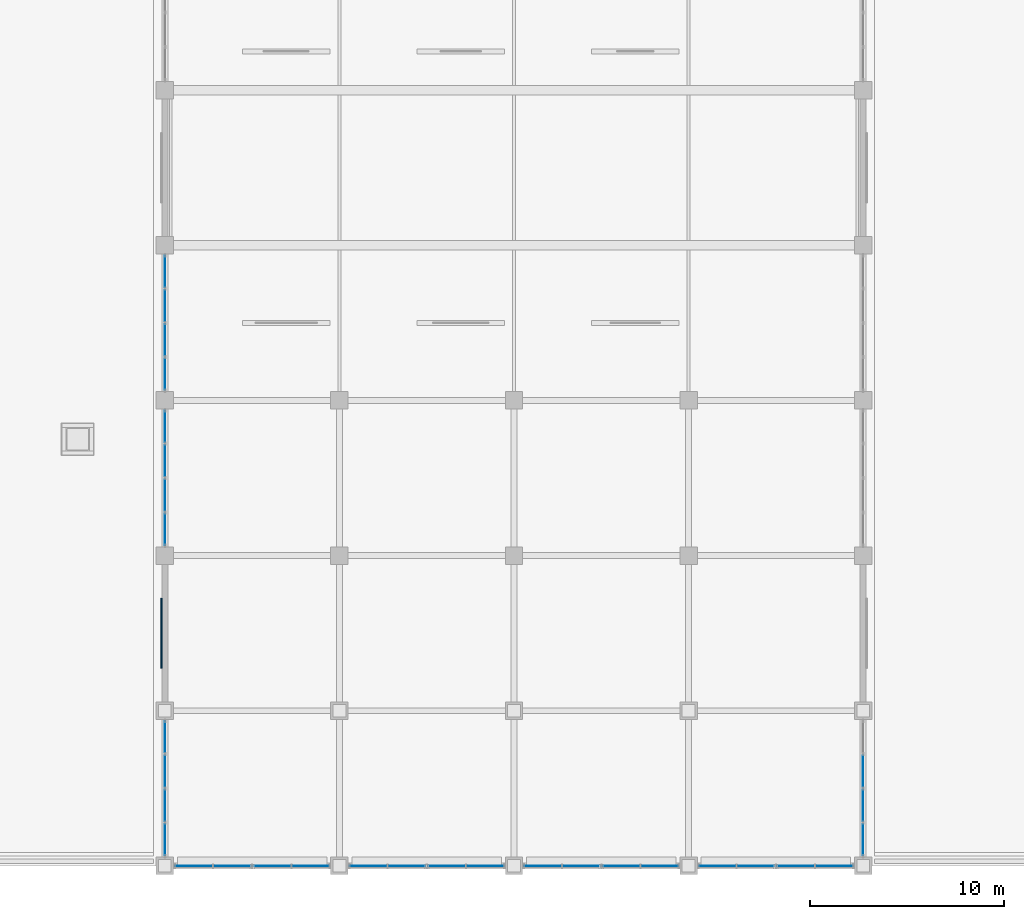
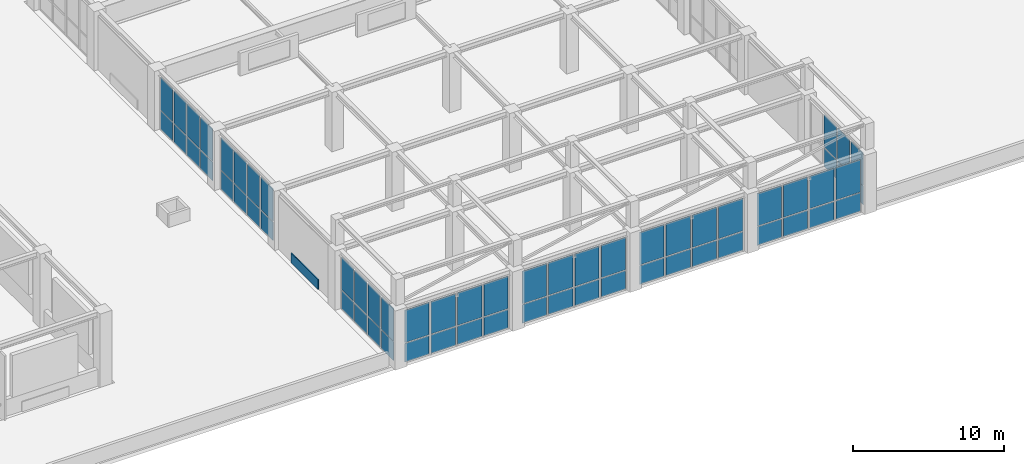
# One storey, part 13 of 34: 63 plates, 8 elements without a shape of their own.
"""IFC4 building model written with IfcOpenShell, lengths in metres."""

from ifc_helpers import new_model, si_unit, direction, frame, frame_2d, origin, place, context, subcontext, project, spatial, rectangle, extrude, material, layer, layer_set, type_object, element, aggregate, save


model = new_model("IFC4")

# Units and contexts
model_context = context("Model", 3, precision=1e-05, world=origin(), true_north=direction((0.0, 1.0)))
body_context = subcontext(model_context, "Body", "Model", "MODEL_VIEW")
ifc_project = project(units=[si_unit("LENGTHUNIT", "METRE"), si_unit("AREAUNIT", "SQUARE_METRE"), si_unit("VOLUMEUNIT", "CUBIC_METRE"), si_unit("PLANEANGLEUNIT", "RADIAN"), si_unit("MASSUNIT", "GRAM", prefix="KILO")], contexts=[model_context])

# Site, building, storey
site_placement = place(None, origin())
site = spatial("IfcSite", under=ifc_project, at=site_placement, CompositionType="ELEMENT")
building_placement = place(site_placement, origin())
building = spatial("IfcBuilding", under=site, at=building_placement, Name="Zaverband Oceanarium and Marine Research Institute", CompositionType="ELEMENT")
storey_placement = place(building_placement, frame((0.0, 0.0, 18.0)))
storey = spatial("IfcBuildingStorey", under=building, at=storey_placement, Name="L04", CompositionType="ELEMENT", Elevation=18.0)

# Curtain wall, plates
ifc_material_1 = material(Name="Thermally broken anodized aluminium and solar-control glass", Category="aluminium")
curtain_wall_type = type_object("IfcCurtainWallType", Name="CW-UNIT-1800", PredefinedType="NOTDEFINED", material=ifc_material_1)
curtain_wall_1_placement = place(storey_placement, origin())
curtain_wall_1 = element("IfcCurtainWall", 1, at=curtain_wall_1_placement, inside=storey, type_object=curtain_wall_type, Name="Unitised glazed curtain wall CW-187", PredefinedType="NOTDEFINED")
ifc_material_2 = material(Name="Low-E double-glazed solar-control glass", Category="glass")
ifc_layer_1 = layer(ifc_material_2, 0.033935546875, Name="Low-E double-glazed solar-control glass")
ifc_layer_set_1 = layer_set([ifc_layer_1], Name="Low-E double-glazed solar-control glass")
plate_type_1 = type_object("IfcPlateType", Name="CWP-1610x1505", PredefinedType="CURTAIN_PANEL", material=ifc_layer_set_1)
plate_1_placement = place(storey_placement, frame((72.0, 0.5400390625, 0.050048828125), z_axis=(0.0, 0.0, 1.0), x_axis=(0.0, 1.0, 0.0)))
plate_1 = element("IfcPlate", 2, at=plate_1_placement, type_object=plate_type_1, Name="Glazed curtain wall panel CWP-1610x1505", PredefinedType="CURTAIN_PANEL", context=body_context, shape_type="SweptSolid", body=[
    extrude(rectangle(XDim=1.60986328125, YDim=0.033935546875, at=frame_2d((0.804931640625, 0.0))), origin(), (0.0, 0.0, 1.0), 1.5048828125),
])
plate_2_placement = place(storey_placement, frame((72.0, 2.31005859375, 0.050048828125), z_axis=(0.0, 0.0, 1.0), x_axis=(0.0, 1.0, 0.0)))
plate_2 = element("IfcPlate", 3, at=plate_2_placement, type_object=plate_type_1, Name="Glazed curtain wall panel CWP-1610x1505", PredefinedType="CURTAIN_PANEL", context=body_context, shape_type="SweptSolid", body=[
    extrude(rectangle(XDim=1.60986328125, YDim=0.033935546875, at=frame_2d((0.804931640625, 0.0))), origin(), (0.0, 0.0, 1.0), 1.5048828125),
])
plate_3_placement = place(storey_placement, frame((72.0, 4.080078125, 0.050048828125), z_axis=(0.0, 0.0, 1.0), x_axis=(0.0, 1.0, 0.0)))
plate_3 = element("IfcPlate", 4, at=plate_3_placement, type_object=plate_type_1, Name="Glazed curtain wall panel CWP-1610x1505", PredefinedType="CURTAIN_PANEL", context=body_context, shape_type="SweptSolid", body=[
    extrude(rectangle(XDim=1.60986328125, YDim=0.033935546875, at=frame_2d((0.804931640625, 0.0))), origin(), (0.0, 0.0, 1.0), 1.5048828125),
])
plate_4_placement = place(storey_placement, frame((72.0, 5.85009765625, 0.050048828125), z_axis=(0.0, 0.0, 1.0), x_axis=(0.0, 1.0, 0.0)))
plate_4 = element("IfcPlate", 5, at=plate_4_placement, type_object=plate_type_1, Name="Glazed curtain wall panel CWP-1610x1505", PredefinedType="CURTAIN_PANEL", context=body_context, shape_type="SweptSolid", body=[
    extrude(rectangle(XDim=1.60986328125, YDim=0.033935546875, at=frame_2d((0.804931640625, 0.0))), origin(), (0.0, 0.0, 1.0), 1.5048828125),
])

curtain_wall_2_placement = place(storey_placement, origin())
curtain_wall_2 = element("IfcCurtainWall", 6, at=curtain_wall_2_placement, inside=storey, type_object=curtain_wall_type, Name="Unitised glazed curtain wall CW-188", PredefinedType="NOTDEFINED")
plate_5_placement = place(storey_placement, frame((72.0, 16.5400390625, 0.050048828125), z_axis=(0.0, 0.0, 1.0), x_axis=(0.0, 1.0, 0.0)))
plate_5 = element("IfcPlate", 7, at=plate_5_placement, type_object=plate_type_1, Name="Glazed curtain wall panel CWP-1610x1505", PredefinedType="CURTAIN_PANEL", context=body_context, shape_type="SweptSolid", body=[
    extrude(rectangle(XDim=1.60986328125, YDim=0.033935546875, at=frame_2d((0.804931640625, 0.0))), origin(), (0.0, 0.0, 1.0), 1.5048828125),
])
plate_6_placement = place(storey_placement, frame((72.0, 18.31005859375, 0.050048828125), z_axis=(0.0, 0.0, 1.0), x_axis=(0.0, 1.0, 0.0)))
plate_6 = element("IfcPlate", 8, at=plate_6_placement, type_object=plate_type_1, Name="Glazed curtain wall panel CWP-1610x1505", PredefinedType="CURTAIN_PANEL", context=body_context, shape_type="SweptSolid", body=[
    extrude(rectangle(XDim=1.60986328125, YDim=0.033935546875, at=frame_2d((0.804931640625, 0.0))), origin(), (0.0, 0.0, 1.0), 1.5048828125),
])
plate_7_placement = place(storey_placement, frame((72.0, 20.080078125, 0.050048828125), z_axis=(0.0, 0.0, 1.0), x_axis=(0.0, 1.0, 0.0)))
plate_7 = element("IfcPlate", 9, at=plate_7_placement, type_object=plate_type_1, Name="Glazed curtain wall panel CWP-1610x1505", PredefinedType="CURTAIN_PANEL", context=body_context, shape_type="SweptSolid", body=[
    extrude(rectangle(XDim=1.60986328125, YDim=0.033935546875, at=frame_2d((0.804931640625, 0.0))), origin(), (0.0, 0.0, 1.0), 1.5048828125),
])
plate_8_placement = place(storey_placement, frame((72.0, 21.85009765625, 0.050048828125), z_axis=(0.0, 0.0, 1.0), x_axis=(0.0, 1.0, 0.0)))
plate_8 = element("IfcPlate", 10, at=plate_8_placement, type_object=plate_type_1, Name="Glazed curtain wall panel CWP-1610x1505", PredefinedType="CURTAIN_PANEL", context=body_context, shape_type="SweptSolid", body=[
    extrude(rectangle(XDim=1.60986328125, YDim=0.033935546875, at=frame_2d((0.804931640625, 0.0))), origin(), (0.0, 0.0, 1.0), 1.5048828125),
])

curtain_wall_3_placement = place(storey_placement, origin())
curtain_wall_3 = element("IfcCurtainWall", 11, at=curtain_wall_3_placement, inside=storey, type_object=curtain_wall_type, Name="Unitised glazed curtain wall CW-189", PredefinedType="NOTDEFINED")
plate_9_placement = place(storey_placement, frame((72.0, 24.5400390625, 0.050048828125), z_axis=(0.0, 0.0, 1.0), x_axis=(0.0, 1.0, 0.0)))
plate_9 = element("IfcPlate", 12, at=plate_9_placement, type_object=plate_type_1, Name="Glazed curtain wall panel CWP-1610x1505", PredefinedType="CURTAIN_PANEL", context=body_context, shape_type="SweptSolid", body=[
    extrude(rectangle(XDim=1.60986328125, YDim=0.033935546875, at=frame_2d((0.804931640625, 0.0))), origin(), (0.0, 0.0, 1.0), 1.5048828125),
])
plate_10_placement = place(storey_placement, frame((72.0, 26.31005859375, 0.050048828125), z_axis=(0.0, 0.0, 1.0), x_axis=(0.0, 1.0, 0.0)))
plate_10 = element("IfcPlate", 13, at=plate_10_placement, type_object=plate_type_1, Name="Glazed curtain wall panel CWP-1610x1505", PredefinedType="CURTAIN_PANEL", context=body_context, shape_type="SweptSolid", body=[
    extrude(rectangle(XDim=1.60986328125, YDim=0.033935546875, at=frame_2d((0.804931640625, 0.0))), origin(), (0.0, 0.0, 1.0), 1.5048828125),
])
plate_11_placement = place(storey_placement, frame((72.0, 28.080078125, 0.050048828125), z_axis=(0.0, 0.0, 1.0), x_axis=(0.0, 1.0, 0.0)))
plate_11 = element("IfcPlate", 14, at=plate_11_placement, type_object=plate_type_1, Name="Glazed curtain wall panel CWP-1610x1505", PredefinedType="CURTAIN_PANEL", context=body_context, shape_type="SweptSolid", body=[
    extrude(rectangle(XDim=1.60986328125, YDim=0.033935546875, at=frame_2d((0.804931640625, 0.0))), origin(), (0.0, 0.0, 1.0), 1.5048828125),
])
plate_12_placement = place(storey_placement, frame((72.0, 29.85009765625, 0.050048828125), z_axis=(0.0, 0.0, 1.0), x_axis=(0.0, 1.0, 0.0)))
plate_12 = element("IfcPlate", 15, at=plate_12_placement, type_object=plate_type_1, Name="Glazed curtain wall panel CWP-1610x1505", PredefinedType="CURTAIN_PANEL", context=body_context, shape_type="SweptSolid", body=[
    extrude(rectangle(XDim=1.60986328125, YDim=0.033935546875, at=frame_2d((0.804931640625, 0.0))), origin(), (0.0, 0.0, 1.0), 1.5048828125),
])

curtain_wall_4_placement = place(storey_placement, origin())
curtain_wall_4 = element("IfcCurtainWall", 16, at=curtain_wall_4_placement, inside=storey, type_object=curtain_wall_type, Name="Unitised glazed curtain wall CW-191", PredefinedType="NOTDEFINED")
plate_13_placement = place(storey_placement, frame((108.0, 0.5400390625, 0.050048828125), z_axis=(0.0, 0.0, 1.0), x_axis=(0.0, 1.0, 0.0)))
plate_13 = element("IfcPlate", 17, at=plate_13_placement, type_object=plate_type_1, Name="Glazed curtain wall panel CWP-1610x1505", PredefinedType="CURTAIN_PANEL", context=body_context, shape_type="SweptSolid", body=[
    extrude(rectangle(XDim=1.60986328125, YDim=0.033935546875, at=frame_2d((0.804931640625, 0.0))), origin(), (0.0, 0.0, 1.0), 1.5048828125),
])
plate_14_placement = place(storey_placement, frame((108.0, 2.31005859375, 0.050048828125), z_axis=(0.0, 0.0, 1.0), x_axis=(0.0, 1.0, 0.0)))
plate_14 = element("IfcPlate", 18, at=plate_14_placement, type_object=plate_type_1, Name="Glazed curtain wall panel CWP-1610x1505", PredefinedType="CURTAIN_PANEL", context=body_context, shape_type="SweptSolid", body=[
    extrude(rectangle(XDim=1.60986328125, YDim=0.033935546875, at=frame_2d((0.804931640625, 0.0))), origin(), (0.0, 0.0, 1.0), 1.5048828125),
])
plate_15_placement = place(storey_placement, frame((108.0, 4.080078125, 0.050048828125), z_axis=(0.0, 0.0, 1.0), x_axis=(0.0, 1.0, 0.0)))
plate_15 = element("IfcPlate", 19, at=plate_15_placement, type_object=plate_type_1, Name="Glazed curtain wall panel CWP-1610x1505", PredefinedType="CURTAIN_PANEL", context=body_context, shape_type="SweptSolid", body=[
    extrude(rectangle(XDim=1.60986328125, YDim=0.033935546875, at=frame_2d((0.804931640625, 0.0))), origin(), (0.0, 0.0, 1.0), 1.5048828125),
])

# Plate
ifc_layer_2 = layer(ifc_material_2, 0.035888671875, Name="Low-E double-glazed solar-control glass")
ifc_layer_set_2 = layer_set([ifc_layer_2], Name="Low-E double-glazed solar-control glass")
plate_type_2 = type_object("IfcPlateType", Name="CWP-1610x2635", PredefinedType="CURTAIN_PANEL", material=ifc_layer_set_2)
plate_16_placement = place(storey_placement, frame((72.0, 0.5400390625, 1.625), z_axis=(0.0, 0.0, 1.0), x_axis=(0.0, 1.0, 0.0)))
plate_16 = element("IfcPlate", 20, at=plate_16_placement, type_object=plate_type_2, Name="Glazed curtain wall panel CWP-1610x2635", PredefinedType="CURTAIN_PANEL", context=body_context, shape_type="SweptSolid", body=[
    extrude(rectangle(XDim=1.60986328125, YDim=0.035888671875, at=frame_2d((0.804931640625, 0.0))), origin(), (0.0, 0.0, 1.0), 2.635009765625),
])

plate_17_placement = place(storey_placement, frame((72.0, 2.31005859375, 1.625), z_axis=(0.0, 0.0, 1.0), x_axis=(0.0, 1.0, 0.0)))
plate_17 = element("IfcPlate", 21, at=plate_17_placement, type_object=plate_type_2, Name="Glazed curtain wall panel CWP-1610x2635", PredefinedType="CURTAIN_PANEL", context=body_context, shape_type="SweptSolid", body=[
    extrude(rectangle(XDim=1.60986328125, YDim=0.035888671875, at=frame_2d((0.804931640625, 0.0))), origin(), (0.0, 0.0, 1.0), 2.635009765625),
])

plate_18_placement = place(storey_placement, frame((72.0, 4.080078125, 1.625), z_axis=(0.0, 0.0, 1.0), x_axis=(0.0, 1.0, 0.0)))
plate_18 = element("IfcPlate", 22, at=plate_18_placement, type_object=plate_type_2, Name="Glazed curtain wall panel CWP-1610x2635", PredefinedType="CURTAIN_PANEL", context=body_context, shape_type="SweptSolid", body=[
    extrude(rectangle(XDim=1.60986328125, YDim=0.035888671875, at=frame_2d((0.804931640625, 0.0))), origin(), (0.0, 0.0, 1.0), 2.635009765625),
])

plate_19_placement = place(storey_placement, frame((72.0, 5.85009765625, 1.625), z_axis=(0.0, 0.0, 1.0), x_axis=(0.0, 1.0, 0.0)))
plate_19 = element("IfcPlate", 23, at=plate_19_placement, type_object=plate_type_2, Name="Glazed curtain wall panel CWP-1610x2635", PredefinedType="CURTAIN_PANEL", context=body_context, shape_type="SweptSolid", body=[
    extrude(rectangle(XDim=1.60986328125, YDim=0.035888671875, at=frame_2d((0.804931640625, 0.0))), origin(), (0.0, 0.0, 1.0), 2.635009765625),
])

aggregate(curtain_wall_1, [plate_1, plate_16, plate_2, plate_17, plate_3, plate_18, plate_4, plate_19])

plate_20_placement = place(storey_placement, frame((72.0, 16.5400390625, 1.625), z_axis=(0.0, 0.0, 1.0), x_axis=(0.0, 1.0, 0.0)))
plate_20 = element("IfcPlate", 24, at=plate_20_placement, type_object=plate_type_2, Name="Glazed curtain wall panel CWP-1610x2635", PredefinedType="CURTAIN_PANEL", context=body_context, shape_type="SweptSolid", body=[
    extrude(rectangle(XDim=1.60986328125, YDim=0.035888671875, at=frame_2d((0.804931640625, 0.0))), origin(), (0.0, 0.0, 1.0), 2.635009765625),
])

plate_21_placement = place(storey_placement, frame((72.0, 18.31005859375, 1.625), z_axis=(0.0, 0.0, 1.0), x_axis=(0.0, 1.0, 0.0)))
plate_21 = element("IfcPlate", 25, at=plate_21_placement, type_object=plate_type_2, Name="Glazed curtain wall panel CWP-1610x2635", PredefinedType="CURTAIN_PANEL", context=body_context, shape_type="SweptSolid", body=[
    extrude(rectangle(XDim=1.60986328125, YDim=0.035888671875, at=frame_2d((0.804931640625, 0.0))), origin(), (0.0, 0.0, 1.0), 2.635009765625),
])

plate_22_placement = place(storey_placement, frame((72.0, 20.080078125, 1.625), z_axis=(0.0, 0.0, 1.0), x_axis=(0.0, 1.0, 0.0)))
plate_22 = element("IfcPlate", 26, at=plate_22_placement, type_object=plate_type_2, Name="Glazed curtain wall panel CWP-1610x2635", PredefinedType="CURTAIN_PANEL", context=body_context, shape_type="SweptSolid", body=[
    extrude(rectangle(XDim=1.60986328125, YDim=0.035888671875, at=frame_2d((0.804931640625, 0.0))), origin(), (0.0, 0.0, 1.0), 2.635009765625),
])

plate_23_placement = place(storey_placement, frame((72.0, 21.85009765625, 1.625), z_axis=(0.0, 0.0, 1.0), x_axis=(0.0, 1.0, 0.0)))
plate_23 = element("IfcPlate", 27, at=plate_23_placement, type_object=plate_type_2, Name="Glazed curtain wall panel CWP-1610x2635", PredefinedType="CURTAIN_PANEL", context=body_context, shape_type="SweptSolid", body=[
    extrude(rectangle(XDim=1.60986328125, YDim=0.035888671875, at=frame_2d((0.804931640625, 0.0))), origin(), (0.0, 0.0, 1.0), 2.635009765625),
])

aggregate(curtain_wall_2, [plate_5, plate_20, plate_6, plate_21, plate_7, plate_22, plate_8, plate_23])

plate_24_placement = place(storey_placement, frame((72.0, 24.5400390625, 1.625), z_axis=(0.0, 0.0, 1.0), x_axis=(0.0, 1.0, 0.0)))
plate_24 = element("IfcPlate", 28, at=plate_24_placement, type_object=plate_type_2, Name="Glazed curtain wall panel CWP-1610x2635", PredefinedType="CURTAIN_PANEL", context=body_context, shape_type="SweptSolid", body=[
    extrude(rectangle(XDim=1.60986328125, YDim=0.035888671875, at=frame_2d((0.804931640625, 0.0))), origin(), (0.0, 0.0, 1.0), 2.635009765625),
])

plate_25_placement = place(storey_placement, frame((72.0, 26.31005859375, 1.625), z_axis=(0.0, 0.0, 1.0), x_axis=(0.0, 1.0, 0.0)))
plate_25 = element("IfcPlate", 29, at=plate_25_placement, type_object=plate_type_2, Name="Glazed curtain wall panel CWP-1610x2635", PredefinedType="CURTAIN_PANEL", context=body_context, shape_type="SweptSolid", body=[
    extrude(rectangle(XDim=1.60986328125, YDim=0.035888671875, at=frame_2d((0.804931640625, 0.0))), origin(), (0.0, 0.0, 1.0), 2.635009765625),
])

plate_26_placement = place(storey_placement, frame((72.0, 28.080078125, 1.625), z_axis=(0.0, 0.0, 1.0), x_axis=(0.0, 1.0, 0.0)))
plate_26 = element("IfcPlate", 30, at=plate_26_placement, type_object=plate_type_2, Name="Glazed curtain wall panel CWP-1610x2635", PredefinedType="CURTAIN_PANEL", context=body_context, shape_type="SweptSolid", body=[
    extrude(rectangle(XDim=1.60986328125, YDim=0.035888671875, at=frame_2d((0.804931640625, 0.0))), origin(), (0.0, 0.0, 1.0), 2.635009765625),
])

plate_27_placement = place(storey_placement, frame((72.0, 29.85009765625, 1.625), z_axis=(0.0, 0.0, 1.0), x_axis=(0.0, 1.0, 0.0)))
plate_27 = element("IfcPlate", 31, at=plate_27_placement, type_object=plate_type_2, Name="Glazed curtain wall panel CWP-1610x2635", PredefinedType="CURTAIN_PANEL", context=body_context, shape_type="SweptSolid", body=[
    extrude(rectangle(XDim=1.60986328125, YDim=0.035888671875, at=frame_2d((0.804931640625, 0.0))), origin(), (0.0, 0.0, 1.0), 2.635009765625),
])

aggregate(curtain_wall_3, [plate_9, plate_24, plate_10, plate_25, plate_11, plate_26, plate_12, plate_27])

plate_28_placement = place(storey_placement, frame((108.0, 0.5400390625, 1.625), z_axis=(0.0, 0.0, 1.0), x_axis=(0.0, 1.0, 0.0)))
plate_28 = element("IfcPlate", 32, at=plate_28_placement, type_object=plate_type_2, Name="Glazed curtain wall panel CWP-1610x2635", PredefinedType="CURTAIN_PANEL", context=body_context, shape_type="SweptSolid", body=[
    extrude(rectangle(XDim=1.60986328125, YDim=0.035888671875, at=frame_2d((0.804931640625, 0.0))), origin(), (0.0, 0.0, 1.0), 2.635009765625),
])

plate_29_placement = place(storey_placement, frame((108.0, 2.31005859375, 1.625), z_axis=(0.0, 0.0, 1.0), x_axis=(0.0, 1.0, 0.0)))
plate_29 = element("IfcPlate", 33, at=plate_29_placement, type_object=plate_type_2, Name="Glazed curtain wall panel CWP-1610x2635", PredefinedType="CURTAIN_PANEL", context=body_context, shape_type="SweptSolid", body=[
    extrude(rectangle(XDim=1.60986328125, YDim=0.035888671875, at=frame_2d((0.804931640625, 0.0))), origin(), (0.0, 0.0, 1.0), 2.635009765625),
])

plate_30_placement = place(storey_placement, frame((108.0, 4.080078125, 1.625), z_axis=(0.0, 0.0, 1.0), x_axis=(0.0, 1.0, 0.0)))
plate_30 = element("IfcPlate", 34, at=plate_30_placement, type_object=plate_type_2, Name="Glazed curtain wall panel CWP-1610x2635", PredefinedType="CURTAIN_PANEL", context=body_context, shape_type="SweptSolid", body=[
    extrude(rectangle(XDim=1.60986328125, YDim=0.035888671875, at=frame_2d((0.804931640625, 0.0))), origin(), (0.0, 0.0, 1.0), 2.635009765625),
])

aggregate(curtain_wall_4, [plate_13, plate_28, plate_14, plate_29, plate_15, plate_30])

# Curtain wall, plates
curtain_wall_5_placement = place(storey_placement, origin())
curtain_wall_5 = element("IfcCurtainWall", 35, at=curtain_wall_5_placement, inside=storey, type_object=curtain_wall_type, Name="Unitised glazed curtain wall CW-183", PredefinedType="NOTDEFINED")
ifc_layer_3 = layer(ifc_material_2, 0.033935546875, Name="Low-E double-glazed solar-control glass")
ifc_layer_set_3 = layer_set([ifc_layer_3], Name="Low-E double-glazed solar-control glass")
plate_type_3 = type_object("IfcPlateType", Name="CWP-1860x1505", PredefinedType="CURTAIN_PANEL", material=ifc_layer_set_3)
plate_31_placement = place(storey_placement, frame((72.5400390625, 0.0, 0.050048828125), z_axis=(0.0, 0.0, 1.0), x_axis=(1.0, 0.0, 0.0)))
plate_31 = element("IfcPlate", 36, at=plate_31_placement, type_object=plate_type_3, Name="Glazed curtain wall panel CWP-1860x1505", PredefinedType="CURTAIN_PANEL", context=body_context, shape_type="SweptSolid", body=[
    extrude(rectangle(XDim=1.85986328125, YDim=0.033935546875, at=frame_2d((0.929931640625, 0.0))), origin(), (0.0, 0.0, 1.0), 1.5048828125),
])
plate_32_placement = place(storey_placement, frame((74.56005859375, 0.0, 0.050048828125), z_axis=(0.0, 0.0, 1.0), x_axis=(1.0, 0.0, 0.0)))
plate_32 = element("IfcPlate", 37, at=plate_32_placement, type_object=plate_type_3, Name="Glazed curtain wall panel CWP-1860x1505", PredefinedType="CURTAIN_PANEL", context=body_context, shape_type="SweptSolid", body=[
    extrude(rectangle(XDim=1.85986328125, YDim=0.033935546875, at=frame_2d((0.929931640625, 0.0))), origin(), (0.0, 0.0, 1.0), 1.5048828125),
])
plate_33_placement = place(storey_placement, frame((76.580078125, 0.0, 0.050048828125), z_axis=(0.0, 0.0, 1.0), x_axis=(1.0, 0.0, 0.0)))
plate_33 = element("IfcPlate", 38, at=plate_33_placement, type_object=plate_type_3, Name="Glazed curtain wall panel CWP-1860x1505", PredefinedType="CURTAIN_PANEL", context=body_context, shape_type="SweptSolid", body=[
    extrude(rectangle(XDim=1.85986328125, YDim=0.033935546875, at=frame_2d((0.929931640625, 0.0))), origin(), (0.0, 0.0, 1.0), 1.5048828125),
])
plate_34_placement = place(storey_placement, frame((78.60009765625, 0.0, 0.050048828125), z_axis=(0.0, 0.0, 1.0), x_axis=(1.0, 0.0, 0.0)))
plate_34 = element("IfcPlate", 39, at=plate_34_placement, type_object=plate_type_3, Name="Glazed curtain wall panel CWP-1860x1505", PredefinedType="CURTAIN_PANEL", context=body_context, shape_type="SweptSolid", body=[
    extrude(rectangle(XDim=1.85986328125, YDim=0.033935546875, at=frame_2d((0.929931640625, 0.0))), origin(), (0.0, 0.0, 1.0), 1.5048828125),
])

curtain_wall_6_placement = place(storey_placement, origin())
curtain_wall_6 = element("IfcCurtainWall", 40, at=curtain_wall_6_placement, inside=storey, type_object=curtain_wall_type, Name="Unitised glazed curtain wall CW-184", PredefinedType="NOTDEFINED")
plate_35_placement = place(storey_placement, frame((81.5400390625, 0.0, 0.050048828125), z_axis=(0.0, 0.0, 1.0), x_axis=(1.0, 0.0, 0.0)))
plate_35 = element("IfcPlate", 41, at=plate_35_placement, type_object=plate_type_3, Name="Glazed curtain wall panel CWP-1860x1505", PredefinedType="CURTAIN_PANEL", context=body_context, shape_type="SweptSolid", body=[
    extrude(rectangle(XDim=1.85986328125, YDim=0.033935546875, at=frame_2d((0.929931640625, 0.0))), origin(), (0.0, 0.0, 1.0), 1.5048828125),
])
plate_36_placement = place(storey_placement, frame((83.56005859375, 0.0, 0.050048828125), z_axis=(0.0, 0.0, 1.0), x_axis=(1.0, 0.0, 0.0)))
plate_36 = element("IfcPlate", 42, at=plate_36_placement, type_object=plate_type_3, Name="Glazed curtain wall panel CWP-1860x1505", PredefinedType="CURTAIN_PANEL", context=body_context, shape_type="SweptSolid", body=[
    extrude(rectangle(XDim=1.85986328125, YDim=0.033935546875, at=frame_2d((0.929931640625, 0.0))), origin(), (0.0, 0.0, 1.0), 1.5048828125),
])
plate_37_placement = place(storey_placement, frame((85.580078125, 0.0, 0.050048828125), z_axis=(0.0, 0.0, 1.0), x_axis=(1.0, 0.0, 0.0)))
plate_37 = element("IfcPlate", 43, at=plate_37_placement, type_object=plate_type_3, Name="Glazed curtain wall panel CWP-1860x1505", PredefinedType="CURTAIN_PANEL", context=body_context, shape_type="SweptSolid", body=[
    extrude(rectangle(XDim=1.85986328125, YDim=0.033935546875, at=frame_2d((0.929931640625, 0.0))), origin(), (0.0, 0.0, 1.0), 1.5048828125),
])
plate_38_placement = place(storey_placement, frame((87.60009765625, 0.0, 0.050048828125), z_axis=(0.0, 0.0, 1.0), x_axis=(1.0, 0.0, 0.0)))
plate_38 = element("IfcPlate", 44, at=plate_38_placement, type_object=plate_type_3, Name="Glazed curtain wall panel CWP-1860x1505", PredefinedType="CURTAIN_PANEL", context=body_context, shape_type="SweptSolid", body=[
    extrude(rectangle(XDim=1.85986328125, YDim=0.033935546875, at=frame_2d((0.929931640625, 0.0))), origin(), (0.0, 0.0, 1.0), 1.5048828125),
])

curtain_wall_7_placement = place(storey_placement, origin())
curtain_wall_7 = element("IfcCurtainWall", 45, at=curtain_wall_7_placement, inside=storey, type_object=curtain_wall_type, Name="Unitised glazed curtain wall CW-185", PredefinedType="NOTDEFINED")
plate_39_placement = place(storey_placement, frame((90.5400390625, 0.0, 0.050048828125), z_axis=(0.0, 0.0, 1.0), x_axis=(1.0, 0.0, 0.0)))
plate_39 = element("IfcPlate", 46, at=plate_39_placement, type_object=plate_type_3, Name="Glazed curtain wall panel CWP-1860x1505", PredefinedType="CURTAIN_PANEL", context=body_context, shape_type="SweptSolid", body=[
    extrude(rectangle(XDim=1.85986328125, YDim=0.033935546875, at=frame_2d((0.929931640625, 0.0))), origin(), (0.0, 0.0, 1.0), 1.5048828125),
])
plate_40_placement = place(storey_placement, frame((92.56005859375, 0.0, 0.050048828125), z_axis=(0.0, 0.0, 1.0), x_axis=(1.0, 0.0, 0.0)))
plate_40 = element("IfcPlate", 47, at=plate_40_placement, type_object=plate_type_3, Name="Glazed curtain wall panel CWP-1860x1505", PredefinedType="CURTAIN_PANEL", context=body_context, shape_type="SweptSolid", body=[
    extrude(rectangle(XDim=1.85986328125, YDim=0.033935546875, at=frame_2d((0.929931640625, 0.0))), origin(), (0.0, 0.0, 1.0), 1.5048828125),
])
plate_41_placement = place(storey_placement, frame((94.580078125, 0.0, 0.050048828125), z_axis=(0.0, 0.0, 1.0), x_axis=(1.0, 0.0, 0.0)))
plate_41 = element("IfcPlate", 48, at=plate_41_placement, type_object=plate_type_3, Name="Glazed curtain wall panel CWP-1860x1505", PredefinedType="CURTAIN_PANEL", context=body_context, shape_type="SweptSolid", body=[
    extrude(rectangle(XDim=1.85986328125, YDim=0.033935546875, at=frame_2d((0.929931640625, 0.0))), origin(), (0.0, 0.0, 1.0), 1.5048828125),
])
plate_42_placement = place(storey_placement, frame((96.60009765625, 0.0, 0.050048828125), z_axis=(0.0, 0.0, 1.0), x_axis=(1.0, 0.0, 0.0)))
plate_42 = element("IfcPlate", 49, at=plate_42_placement, type_object=plate_type_3, Name="Glazed curtain wall panel CWP-1860x1505", PredefinedType="CURTAIN_PANEL", context=body_context, shape_type="SweptSolid", body=[
    extrude(rectangle(XDim=1.85986328125, YDim=0.033935546875, at=frame_2d((0.929931640625, 0.0))), origin(), (0.0, 0.0, 1.0), 1.5048828125),
])

curtain_wall_8_placement = place(storey_placement, origin())
curtain_wall_8 = element("IfcCurtainWall", 50, at=curtain_wall_8_placement, inside=storey, type_object=curtain_wall_type, Name="Unitised glazed curtain wall CW-186", PredefinedType="NOTDEFINED")
plate_43_placement = place(storey_placement, frame((99.5400390625, 0.0, 0.050048828125), z_axis=(0.0, 0.0, 1.0), x_axis=(1.0, 0.0, 0.0)))
plate_43 = element("IfcPlate", 51, at=plate_43_placement, type_object=plate_type_3, Name="Glazed curtain wall panel CWP-1860x1505", PredefinedType="CURTAIN_PANEL", context=body_context, shape_type="SweptSolid", body=[
    extrude(rectangle(XDim=1.85986328125, YDim=0.033935546875, at=frame_2d((0.929931640625, 0.0))), origin(), (0.0, 0.0, 1.0), 1.5048828125),
])
plate_44_placement = place(storey_placement, frame((101.56005859375, 0.0, 0.050048828125), z_axis=(0.0, 0.0, 1.0), x_axis=(1.0, 0.0, 0.0)))
plate_44 = element("IfcPlate", 52, at=plate_44_placement, type_object=plate_type_3, Name="Glazed curtain wall panel CWP-1860x1505", PredefinedType="CURTAIN_PANEL", context=body_context, shape_type="SweptSolid", body=[
    extrude(rectangle(XDim=1.85986328125, YDim=0.033935546875, at=frame_2d((0.929931640625, 0.0))), origin(), (0.0, 0.0, 1.0), 1.5048828125),
])
plate_45_placement = place(storey_placement, frame((103.580078125, 0.0, 0.050048828125), z_axis=(0.0, 0.0, 1.0), x_axis=(1.0, 0.0, 0.0)))
plate_45 = element("IfcPlate", 53, at=plate_45_placement, type_object=plate_type_3, Name="Glazed curtain wall panel CWP-1860x1505", PredefinedType="CURTAIN_PANEL", context=body_context, shape_type="SweptSolid", body=[
    extrude(rectangle(XDim=1.85986328125, YDim=0.033935546875, at=frame_2d((0.929931640625, 0.0))), origin(), (0.0, 0.0, 1.0), 1.5048828125),
])
plate_46_placement = place(storey_placement, frame((105.60009765625, 0.0, 0.050048828125), z_axis=(0.0, 0.0, 1.0), x_axis=(1.0, 0.0, 0.0)))
plate_46 = element("IfcPlate", 54, at=plate_46_placement, type_object=plate_type_3, Name="Glazed curtain wall panel CWP-1860x1505", PredefinedType="CURTAIN_PANEL", context=body_context, shape_type="SweptSolid", body=[
    extrude(rectangle(XDim=1.85986328125, YDim=0.033935546875, at=frame_2d((0.929931640625, 0.0))), origin(), (0.0, 0.0, 1.0), 1.5048828125),
])

# Plate
ifc_layer_4 = layer(ifc_material_2, 0.035888671875, Name="Low-E double-glazed solar-control glass")
ifc_layer_set_4 = layer_set([ifc_layer_4], Name="Low-E double-glazed solar-control glass")
plate_type_4 = type_object("IfcPlateType", Name="CWP-1860x2635", PredefinedType="CURTAIN_PANEL", material=ifc_layer_set_4)
plate_47_placement = place(storey_placement, frame((72.5400390625, 0.0, 1.625), z_axis=(0.0, 0.0, 1.0), x_axis=(1.0, 0.0, 0.0)))
plate_47 = element("IfcPlate", 55, at=plate_47_placement, type_object=plate_type_4, Name="Glazed curtain wall panel CWP-1860x2635", PredefinedType="CURTAIN_PANEL", context=body_context, shape_type="SweptSolid", body=[
    extrude(rectangle(XDim=1.85986328125, YDim=0.035888671875, at=frame_2d((0.929931640625, 0.0))), origin(), (0.0, 0.0, 1.0), 2.635009765625),
])

plate_48_placement = place(storey_placement, frame((74.56005859375, 0.0, 1.625), z_axis=(0.0, 0.0, 1.0), x_axis=(1.0, 0.0, 0.0)))
plate_48 = element("IfcPlate", 56, at=plate_48_placement, type_object=plate_type_4, Name="Glazed curtain wall panel CWP-1860x2635", PredefinedType="CURTAIN_PANEL", context=body_context, shape_type="SweptSolid", body=[
    extrude(rectangle(XDim=1.85986328125, YDim=0.035888671875, at=frame_2d((0.929931640625, 0.0))), origin(), (0.0, 0.0, 1.0), 2.635009765625),
])

plate_49_placement = place(storey_placement, frame((76.580078125, 0.0, 1.625), z_axis=(0.0, 0.0, 1.0), x_axis=(1.0, 0.0, 0.0)))
plate_49 = element("IfcPlate", 57, at=plate_49_placement, type_object=plate_type_4, Name="Glazed curtain wall panel CWP-1860x2635", PredefinedType="CURTAIN_PANEL", context=body_context, shape_type="SweptSolid", body=[
    extrude(rectangle(XDim=1.85986328125, YDim=0.035888671875, at=frame_2d((0.929931640625, 0.0))), origin(), (0.0, 0.0, 1.0), 2.635009765625),
])

plate_50_placement = place(storey_placement, frame((78.60009765625, 0.0, 1.625), z_axis=(0.0, 0.0, 1.0), x_axis=(1.0, 0.0, 0.0)))
plate_50 = element("IfcPlate", 58, at=plate_50_placement, type_object=plate_type_4, Name="Glazed curtain wall panel CWP-1860x2635", PredefinedType="CURTAIN_PANEL", context=body_context, shape_type="SweptSolid", body=[
    extrude(rectangle(XDim=1.85986328125, YDim=0.035888671875, at=frame_2d((0.929931640625, 0.0))), origin(), (0.0, 0.0, 1.0), 2.635009765625),
])

aggregate(curtain_wall_5, [plate_31, plate_47, plate_32, plate_48, plate_33, plate_49, plate_34, plate_50])

plate_51_placement = place(storey_placement, frame((81.5400390625, 0.0, 1.625), z_axis=(0.0, 0.0, 1.0), x_axis=(1.0, 0.0, 0.0)))
plate_51 = element("IfcPlate", 59, at=plate_51_placement, type_object=plate_type_4, Name="Glazed curtain wall panel CWP-1860x2635", PredefinedType="CURTAIN_PANEL", context=body_context, shape_type="SweptSolid", body=[
    extrude(rectangle(XDim=1.85986328125, YDim=0.035888671875, at=frame_2d((0.929931640625, 0.0))), origin(), (0.0, 0.0, 1.0), 2.635009765625),
])

plate_52_placement = place(storey_placement, frame((83.56005859375, 0.0, 1.625), z_axis=(0.0, 0.0, 1.0), x_axis=(1.0, 0.0, 0.0)))
plate_52 = element("IfcPlate", 60, at=plate_52_placement, type_object=plate_type_4, Name="Glazed curtain wall panel CWP-1860x2635", PredefinedType="CURTAIN_PANEL", context=body_context, shape_type="SweptSolid", body=[
    extrude(rectangle(XDim=1.85986328125, YDim=0.035888671875, at=frame_2d((0.929931640625, 0.0))), origin(), (0.0, 0.0, 1.0), 2.635009765625),
])

plate_53_placement = place(storey_placement, frame((85.580078125, 0.0, 1.625), z_axis=(0.0, 0.0, 1.0), x_axis=(1.0, 0.0, 0.0)))
plate_53 = element("IfcPlate", 61, at=plate_53_placement, type_object=plate_type_4, Name="Glazed curtain wall panel CWP-1860x2635", PredefinedType="CURTAIN_PANEL", context=body_context, shape_type="SweptSolid", body=[
    extrude(rectangle(XDim=1.85986328125, YDim=0.035888671875, at=frame_2d((0.929931640625, 0.0))), origin(), (0.0, 0.0, 1.0), 2.635009765625),
])

plate_54_placement = place(storey_placement, frame((87.60009765625, 0.0, 1.625), z_axis=(0.0, 0.0, 1.0), x_axis=(1.0, 0.0, 0.0)))
plate_54 = element("IfcPlate", 62, at=plate_54_placement, type_object=plate_type_4, Name="Glazed curtain wall panel CWP-1860x2635", PredefinedType="CURTAIN_PANEL", context=body_context, shape_type="SweptSolid", body=[
    extrude(rectangle(XDim=1.85986328125, YDim=0.035888671875, at=frame_2d((0.929931640625, 0.0))), origin(), (0.0, 0.0, 1.0), 2.635009765625),
])

aggregate(curtain_wall_6, [plate_35, plate_51, plate_36, plate_52, plate_37, plate_53, plate_38, plate_54])

plate_55_placement = place(storey_placement, frame((90.5400390625, 0.0, 1.625), z_axis=(0.0, 0.0, 1.0), x_axis=(1.0, 0.0, 0.0)))
plate_55 = element("IfcPlate", 63, at=plate_55_placement, type_object=plate_type_4, Name="Glazed curtain wall panel CWP-1860x2635", PredefinedType="CURTAIN_PANEL", context=body_context, shape_type="SweptSolid", body=[
    extrude(rectangle(XDim=1.85986328125, YDim=0.035888671875, at=frame_2d((0.929931640625, 0.0))), origin(), (0.0, 0.0, 1.0), 2.635009765625),
])

plate_56_placement = place(storey_placement, frame((92.56005859375, 0.0, 1.625), z_axis=(0.0, 0.0, 1.0), x_axis=(1.0, 0.0, 0.0)))
plate_56 = element("IfcPlate", 64, at=plate_56_placement, type_object=plate_type_4, Name="Glazed curtain wall panel CWP-1860x2635", PredefinedType="CURTAIN_PANEL", context=body_context, shape_type="SweptSolid", body=[
    extrude(rectangle(XDim=1.85986328125, YDim=0.035888671875, at=frame_2d((0.929931640625, 0.0))), origin(), (0.0, 0.0, 1.0), 2.635009765625),
])

plate_57_placement = place(storey_placement, frame((94.580078125, 0.0, 1.625), z_axis=(0.0, 0.0, 1.0), x_axis=(1.0, 0.0, 0.0)))
plate_57 = element("IfcPlate", 65, at=plate_57_placement, type_object=plate_type_4, Name="Glazed curtain wall panel CWP-1860x2635", PredefinedType="CURTAIN_PANEL", context=body_context, shape_type="SweptSolid", body=[
    extrude(rectangle(XDim=1.85986328125, YDim=0.035888671875, at=frame_2d((0.929931640625, 0.0))), origin(), (0.0, 0.0, 1.0), 2.635009765625),
])

plate_58_placement = place(storey_placement, frame((96.60009765625, 0.0, 1.625), z_axis=(0.0, 0.0, 1.0), x_axis=(1.0, 0.0, 0.0)))
plate_58 = element("IfcPlate", 66, at=plate_58_placement, type_object=plate_type_4, Name="Glazed curtain wall panel CWP-1860x2635", PredefinedType="CURTAIN_PANEL", context=body_context, shape_type="SweptSolid", body=[
    extrude(rectangle(XDim=1.85986328125, YDim=0.035888671875, at=frame_2d((0.929931640625, 0.0))), origin(), (0.0, 0.0, 1.0), 2.635009765625),
])

aggregate(curtain_wall_7, [plate_39, plate_55, plate_40, plate_56, plate_41, plate_57, plate_42, plate_58])

plate_59_placement = place(storey_placement, frame((99.5400390625, 0.0, 1.625), z_axis=(0.0, 0.0, 1.0), x_axis=(1.0, 0.0, 0.0)))
plate_59 = element("IfcPlate", 67, at=plate_59_placement, type_object=plate_type_4, Name="Glazed curtain wall panel CWP-1860x2635", PredefinedType="CURTAIN_PANEL", context=body_context, shape_type="SweptSolid", body=[
    extrude(rectangle(XDim=1.85986328125, YDim=0.035888671875, at=frame_2d((0.929931640625, 0.0))), origin(), (0.0, 0.0, 1.0), 2.635009765625),
])

plate_60_placement = place(storey_placement, frame((101.56005859375, 0.0, 1.625), z_axis=(0.0, 0.0, 1.0), x_axis=(1.0, 0.0, 0.0)))
plate_60 = element("IfcPlate", 68, at=plate_60_placement, type_object=plate_type_4, Name="Glazed curtain wall panel CWP-1860x2635", PredefinedType="CURTAIN_PANEL", context=body_context, shape_type="SweptSolid", body=[
    extrude(rectangle(XDim=1.85986328125, YDim=0.035888671875, at=frame_2d((0.929931640625, 0.0))), origin(), (0.0, 0.0, 1.0), 2.635009765625),
])

plate_61_placement = place(storey_placement, frame((103.580078125, 0.0, 1.625), z_axis=(0.0, 0.0, 1.0), x_axis=(1.0, 0.0, 0.0)))
plate_61 = element("IfcPlate", 69, at=plate_61_placement, type_object=plate_type_4, Name="Glazed curtain wall panel CWP-1860x2635", PredefinedType="CURTAIN_PANEL", context=body_context, shape_type="SweptSolid", body=[
    extrude(rectangle(XDim=1.85986328125, YDim=0.035888671875, at=frame_2d((0.929931640625, 0.0))), origin(), (0.0, 0.0, 1.0), 2.635009765625),
])

plate_62_placement = place(storey_placement, frame((105.60009765625, 0.0, 1.625), z_axis=(0.0, 0.0, 1.0), x_axis=(1.0, 0.0, 0.0)))
plate_62 = element("IfcPlate", 70, at=plate_62_placement, type_object=plate_type_4, Name="Glazed curtain wall panel CWP-1860x2635", PredefinedType="CURTAIN_PANEL", context=body_context, shape_type="SweptSolid", body=[
    extrude(rectangle(XDim=1.85986328125, YDim=0.035888671875, at=frame_2d((0.929931640625, 0.0))), origin(), (0.0, 0.0, 1.0), 2.635009765625),
])

aggregate(curtain_wall_8, [plate_43, plate_59, plate_44, plate_60, plate_45, plate_61, plate_46, plate_62])

ifc_material_3 = material(Name="Concrete C40/50 precast ochre", Category="concrete")
ifc_layer_5 = layer(ifc_material_3, 0.0849609375, Name="Concrete C40/50 precast ochre")
ifc_layer_set_5 = layer_set([ifc_layer_5], Name="Concrete C40/50 precast ochre")
plate_type_5 = type_object("IfcPlateType", Name="FRP-3600x800", PredefinedType="USERDEFINED", material=ifc_layer_set_5)
plate_63_placement = place(storey_placement, frame((71.8173828125, 10.199951171875, 0.0), z_axis=(0.0, 0.0, 1.0), x_axis=(0.0, 1.0, 0.0)))
element("IfcPlate", 71, at=plate_63_placement, inside=storey, type_object=plate_type_5, Name="Geometric precast facade cladding panel FRP-3600x800", ObjectType="FLANGE_PLATE", PredefinedType="USERDEFINED", context=body_context, shape_type="SweptSolid", body=[
    extrude(rectangle(XDim=3.60009765625, YDim=0.0849609375, at=frame_2d((1.800048828125, 0.0))), origin(), (0.0, 0.0, 1.0), 0.800048828125),
])

save(model, "model.ifc")
